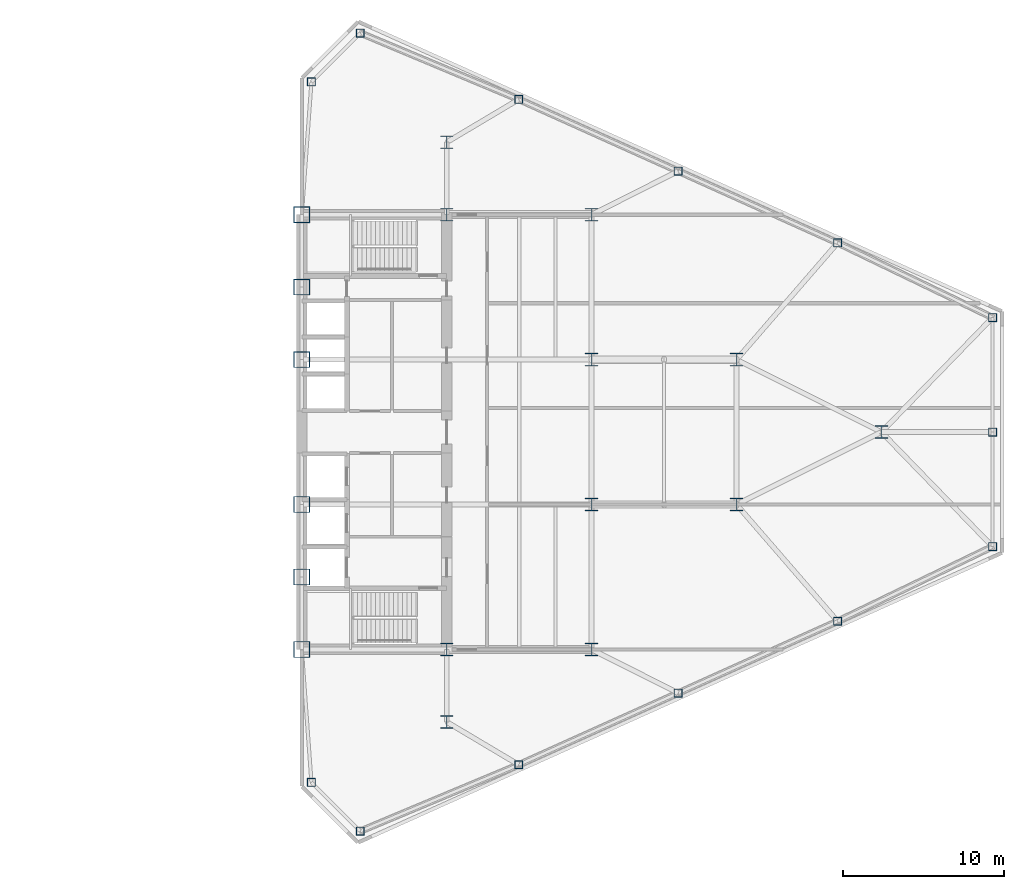
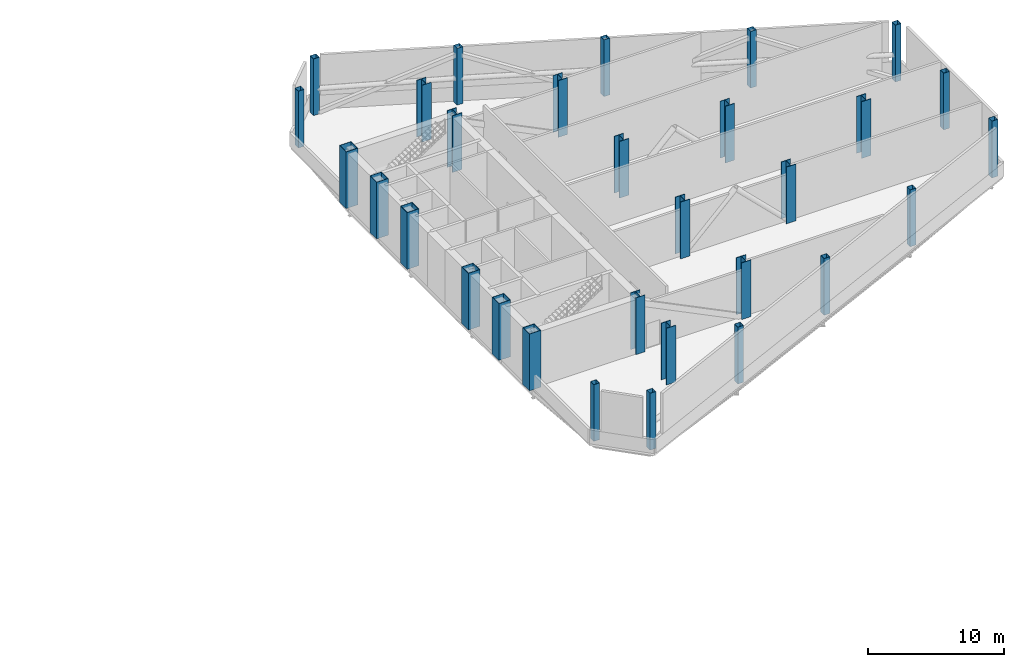
# One storey, part 2 of 11: 30 columns.
"""IFC4 building model written with IfcOpenShell, lengths in metres."""

from ifc_helpers import new_model, si_unit, direction, frame, origin, origin_2d, place, context, subcontext, project, spatial, hollow_rectangle, i_section, extrude, source, transform, mapped, material, material_profile, profile_set, type_object, type_shapes, element, save


model = new_model("IFC4")

# Units and contexts
model_context = context("Model", 3, precision=1e-05, world=origin(), true_north=direction((0.0, 1.0)))
body_context = subcontext(model_context, "Body", "Model", "MODEL_VIEW")
ifc_project = project(units=[si_unit("LENGTHUNIT", "METRE"), si_unit("AREAUNIT", "SQUARE_METRE"), si_unit("VOLUMEUNIT", "CUBIC_METRE"), si_unit("PLANEANGLEUNIT", "RADIAN"), si_unit("MASSUNIT", "GRAM", prefix="KILO")], contexts=[model_context])

# Site, building, storey
site_placement = place(None, origin())
site = spatial("IfcSite", under=ifc_project, at=site_placement, CompositionType="ELEMENT")
building_placement = place(site_placement, origin())
building = spatial("IfcBuilding", under=site, at=building_placement, Name="Seokmaru Belvedere", CompositionType="ELEMENT")
storey_placement = place(building_placement, frame((0.0, 0.0, 87.300048828125)))
storey = spatial("IfcBuildingStorey", under=building, at=storey_placement, Name="L23", CompositionType="ELEMENT", Elevation=87.300048828125)

# Columns
ifc_material_1 = material(Name="Steel HSA650 (650 MPa)", Category="steel")
ifc_material_profile_1 = material_profile(ifc_material_1, hollow_rectangle(XDim=1.0, YDim=1.0, WallThickness=0.0419921875, at=origin_2d()), Name="BOX-1000x1000x42")
ifc_profile_set_1 = profile_set([ifc_material_profile_1], Name="Steel HSA650 (650 MPa)")
column_type_1 = type_object("IfcColumnType", Name="Portal Spine Column BOX-1000", PredefinedType="COLUMN", material=ifc_profile_set_1)
shared_shape_1 = source(origin(), body_context, "Body", "SweptSolid", [
    extrude(hollow_rectangle(XDim=1.0, YDim=1.0, WallThickness=0.0419921875, at=origin_2d()), origin(), (0.0, 0.0, 1.0), 5.099853515625),
])
type_shapes(column_type_1, [shared_shape_1])
for number, where, z_axis, x_axis, name in (
    (1, (27.5, -13.5, 0.0), (0.0, 0.0, 1.0), (1.0, 0.0, 0.0), "L23 Column ES1"),
    (2, (27.5, -9.0, 0.0), (0.0, 0.0, 1.0), (1.0, 0.0, 0.0), "L23 Column ES2"),
    (3, (27.5, -4.5, 0.0), (0.0, 0.0, 1.0), (1.0, 0.0, 0.0), "L23 Column ES3"),
    (4, (27.5, 4.5, 0.0), (0.0, 0.0, 1.0), (1.0, 0.0, 0.0), "L23 Column ES4"),
    (5, (27.5, 9.0, 0.0), (0.0, 0.0, 1.0), (1.0, 0.0, 0.0), "L23 Column ES5"),
    (6, (27.5, 13.5, 0.0), (0.0, 0.0, 1.0), (1.0, 0.0, 0.0), "L23 Column ES6"),
):
    element("IfcColumn", number, at=place(storey_placement, frame(where, z_axis=z_axis, x_axis=x_axis)), inside=storey, type_object=column_type_1, Name=name, PredefinedType="COLUMN", context=body_context, shape_type="MappedRepresentation", body=[
        mapped(shared_shape_1, transform((0.0, 0.0, 0.0), scale=1.0)),
    ])
ifc_material_2 = material(Name="Steel SM355 (355 MPa)", Category="steel")
ifc_material_profile_2 = material_profile(ifc_material_2, i_section(OverallWidth=0.800048828125, OverallDepth=0.800048828125, WebThickness=0.031982421875, FlangeThickness=0.050048828125, at=origin_2d()), Name="H-800x800x32x50")
ifc_profile_set_2 = profile_set([ifc_material_profile_2], Name="Steel SM355 (355 MPa)")
column_type_2 = type_object("IfcColumnType", Name="Lower-Mid Interior Column H-800", PredefinedType="COLUMN", material=ifc_profile_set_2)
shared_shape_2 = source(origin(), body_context, "Body", "SweptSolid", [
    extrude(i_section(OverallWidth=0.800048828125, OverallDepth=0.800048828125, WebThickness=0.031982421875, FlangeThickness=0.050048828125, at=origin_2d()), origin(), (0.0, 0.0, 1.0), 5.099853515625),
])
type_shapes(column_type_2, [shared_shape_2])
for number, where, z_axis, x_axis, name in (
    (7, (36.5, -18.0, 0.0), (0.0, 0.0, 1.0), (1.0, 0.0, 0.0), "L23 Column EC1"),
    (8, (36.5, -13.5, 0.0), (0.0, 0.0, 1.0), (1.0, 0.0, 0.0), "L23 Column EC2"),
    (9, (36.5, 13.5, 0.0), (0.0, 0.0, 1.0), (1.0, 0.0, 0.0), "L23 Column EC3"),
    (10, (36.5, 18.0, 0.0), (0.0, 0.0, 1.0), (1.0, 0.0, 0.0), "L23 Column EC4"),
    (11, (45.5, -13.5, 0.0), (0.0, 0.0, 1.0), (1.0, 0.0, 0.0), "L23 Column EG5_1"),
    (12, (45.5, -4.5, 0.0), (0.0, 0.0, 1.0), (1.0, 0.0, 0.0), "L23 Column EG5_2"),
    (13, (45.5, 4.5, 0.0), (0.0, 0.0, 1.0), (1.0, 0.0, 0.0), "L23 Column EG5_3"),
    (14, (45.5, 13.5, 0.0), (0.0, 0.0, 1.0), (1.0, 0.0, 0.0), "L23 Column EG5_4"),
    (15, (54.5, -4.5, 0.0), (0.0, 0.0, 1.0), (1.0, 0.0, 0.0), "L23 Column EG4P_1"),
    (16, (54.5, 4.5, 0.0), (0.0, 0.0, 1.0), (1.0, 0.0, 0.0), "L23 Column EG4P_2"),
    (17, (63.5, 0.0, 0.0), (0.0, 0.0, 1.0), (1.0, 0.0, 0.0), "L23 Column EG3P_1"),
):
    element("IfcColumn", number, at=place(storey_placement, frame(where, z_axis=z_axis, x_axis=x_axis)), inside=storey, type_object=column_type_2, Name=name, PredefinedType="COLUMN", context=body_context, shape_type="MappedRepresentation", body=[
        mapped(shared_shape_2, transform((0.0, 0.0, 0.0), scale=1.0)),
    ])
ifc_material_profile_3 = material_profile(ifc_material_2, hollow_rectangle(XDim=0.5, YDim=0.5, WallThickness=0.02001953125, at=origin_2d()), Name="HSS-500x500x20")
ifc_profile_set_3 = profile_set([ifc_material_profile_3], Name="Steel SM355 (355 MPa)")
column_type_3 = type_object("IfcColumnType", Name="Perimeter Facet Column HSS-500", PredefinedType="COLUMN", material=ifc_profile_set_3)
shared_shape_3 = source(origin(), body_context, "Body", "SweptSolid", [
    extrude(hollow_rectangle(XDim=0.5, YDim=0.5, WallThickness=0.02001953125, at=origin_2d()), origin(), (0.0, 0.0, 1.0), 5.099853515625),
])
type_shapes(column_type_3, [shared_shape_3])
for number, where, z_axis, x_axis, name in (
    (18, (31.13134765625, -24.782958984375, 0.0), (0.0, 0.0, 1.0), (1.0, 0.0, 0.0), "L23 Column EF1"),
    (19, (70.39990234375, -7.112060546875, 0.0), (0.0, 0.0, 1.0), (1.0, 0.0, 0.0), "L23 Column EF2"),
    (20, (70.39990234375, 7.112060546875, 0.0), (0.0, 0.0, 1.0), (1.0, 0.0, 0.0), "L23 Column EF3"),
    (21, (31.13134765625, 24.782958984375, 0.0), (0.0, 0.0, 1.0), (1.0, 0.0, 0.0), "L23 Column EF4"),
    (22, (28.10009765625, 21.75146484375, 0.0), (0.0, 0.0, 1.0), (1.0, 0.0, 0.0), "L23 Column EF5"),
    (23, (28.10009765625, -21.75146484375, 0.0), (0.0, 0.0, 1.0), (1.0, 0.0, 0.0), "L23 Column EF6"),
    (24, (40.97265625, -20.661376953125, 0.0), (0.0, 0.0, 1.0), (1.0, 0.0, 0.0), "L23 Column EFLK_S1"),
    (25, (50.875, -16.205322265625, 0.0), (0.0, 0.0, 1.0), (1.0, 0.0, 0.0), "L23 Column EFLK_S2"),
    (26, (60.777587890625, -11.749267578125, 0.0), (0.0, 0.0, 1.0), (1.0, 0.0, 0.0), "L23 Column EFLK_S3"),
    (27, (40.97265625, 20.661376953125, 0.0), (0.0, 0.0, 1.0), (1.0, 0.0, 0.0), "L23 Column EFLK_N1"),
    (28, (50.875, 16.205322265625, 0.0), (0.0, 0.0, 1.0), (1.0, 0.0, 0.0), "L23 Column EFLK_N2"),
    (29, (60.777587890625, 11.749267578125, 0.0), (0.0, 0.0, 1.0), (1.0, 0.0, 0.0), "L23 Column EFLK_N3"),
    (30, (70.39990234375, 0.0, 0.0), (0.0, 0.0, 1.0), (1.0, 0.0, 0.0), "L23 Column EF_APXM"),
):
    element("IfcColumn", number, at=place(storey_placement, frame(where, z_axis=z_axis, x_axis=x_axis)), inside=storey, type_object=column_type_3, Name=name, PredefinedType="COLUMN", context=body_context, shape_type="MappedRepresentation", body=[
        mapped(shared_shape_3, transform((0.0, 0.0, 0.0), scale=1.0)),
    ])

save(model, "model.ifc")
